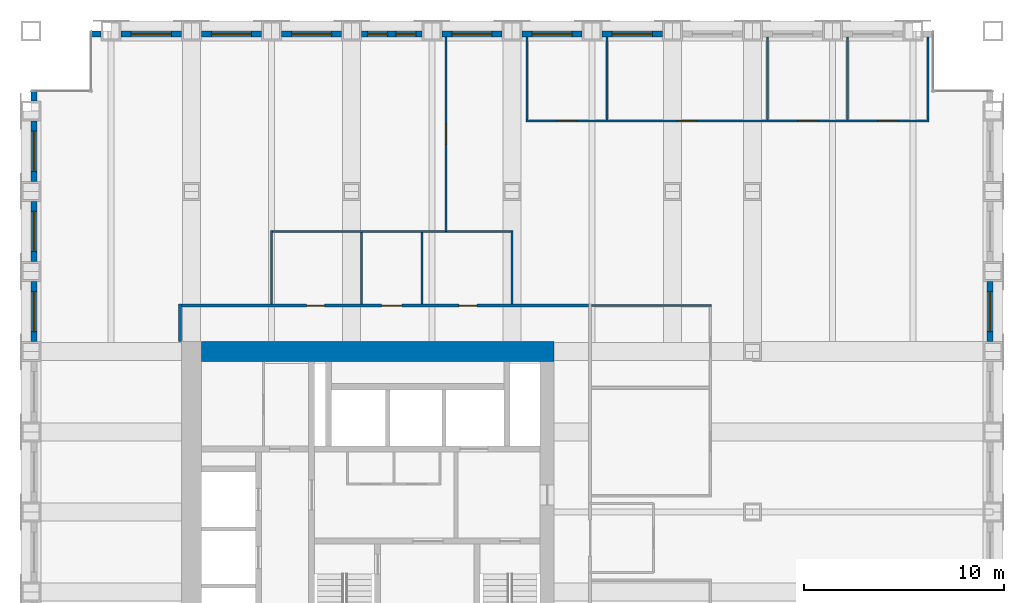
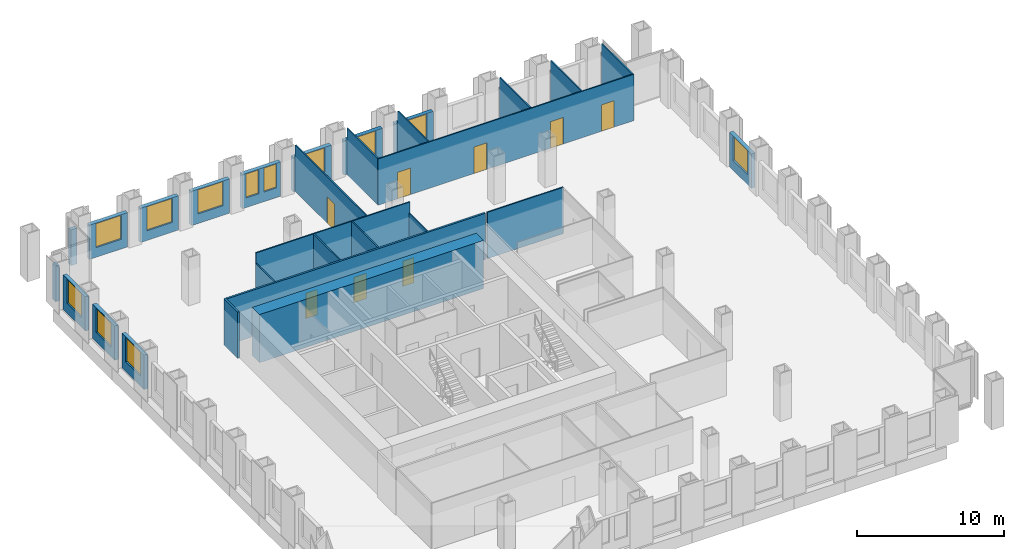
# One storey, part 13 of 15: 29 walls, 12 windows, 8 doors, 20 openings.
"""IFC4 building model written with IfcOpenShell, lengths in metres."""

from ifc_helpers import new_model, si_unit, direction, frame, frame_2d, origin, place, context, subcontext, project, spatial, rectangle, extrude, material, layer, layer_set, type_object, element, fill, save


model = new_model("IFC4")

# Units and contexts
model_context = context("Model", 3, precision=1e-05, world=origin(), true_north=direction((0.0, 1.0)))
body_context = subcontext(model_context, "Body", "Model", "MODEL_VIEW")
ifc_project = project(units=[si_unit("LENGTHUNIT", "METRE"), si_unit("AREAUNIT", "SQUARE_METRE"), si_unit("VOLUMEUNIT", "CUBIC_METRE"), si_unit("PLANEANGLEUNIT", "RADIAN"), si_unit("MASSUNIT", "GRAM", prefix="KILO")], contexts=[model_context])

# Site, building, storey
site_placement = place(None, origin())
site = spatial("IfcSite", under=ifc_project, at=site_placement, CompositionType="ELEMENT")
building_placement = place(site_placement, origin())
building = spatial("IfcBuilding", under=site, at=building_placement, Name="Rimbunsela Tower", CompositionType="ELEMENT")
storey_placement = place(building_placement, frame((0.0, 0.0, 113.39990234375)))
storey = spatial("IfcBuildingStorey", under=building, at=storey_placement, Name="L27", CompositionType="ELEMENT", Elevation=113.39990234375)

# Walls
ifc_material_1 = material(Name="Concrete fc' 80 MPa", Category="concrete")
ifc_layer_1 = layer(ifc_material_1, 1.0)
ifc_layer_set_1 = layer_set([ifc_layer_1], Name="Core wall 1000")
wall_type_1 = type_object("IfcWallType", Name="Core wall 1000", PredefinedType="SHEAR", material=ifc_layer_set_1)
wall_1_placement = place(storey_placement, frame((18.5, 36.0, -0.14990234375), z_axis=(0.0, 0.0, 1.0), x_axis=(1.0, 0.0, 0.0)))
element("IfcWall", 1, at=wall_1_placement, inside=storey, type_object=wall_type_1, Name="Core wall north", PredefinedType="SHEAR", context=body_context, shape_type="SweptSolid", body=[
    extrude(rectangle(XDim=17.60009765625, YDim=1.0, at=frame_2d((8.800048828125, 0.0))), origin(), (0.0, 0.0, 1.0), 4.0),
])
ifc_material_2 = material(Name="Gypsum board on steel studs", Category="steel")
ifc_layer_2 = layer(ifc_material_2, 0.10009765625)
ifc_layer_set_2 = layer_set([ifc_layer_2], Name="Office partition 100")
wall_type_2 = type_object("IfcWallType", Name="Office partition 100", PredefinedType="PARTITIONING", material=ifc_layer_set_2)
wall_2_placement = place(storey_placement, frame((37.97509765625, 38.300048828125, 0.0), z_axis=(0.0, 0.0, 1.0), x_axis=(1.0, 0.0, 0.0)))
element("IfcWall", 2, at=wall_2_placement, inside=storey, type_object=wall_type_2, Name="Office partition", PredefinedType="PARTITIONING", context=body_context, shape_type="SweptSolid", body=[
    extrude(rectangle(XDim=5.974853515625, YDim=0.10009765625, at=frame_2d((2.9873046875, 0.0))), origin(), (0.0, 0.0, 1.0), 3.85009765625),
])

# Wall, openings, doors
wall_3_placement = place(storey_placement, frame((34.699951171875, 47.5, 0.0), z_axis=(0.0, 0.0, 1.0), x_axis=(1.0, 0.0, 0.0)))
wall_3 = element("IfcWall", 3, at=wall_3_placement, inside=storey, type_object=wall_type_2, Name="Office partition", PredefinedType="PARTITIONING", context=body_context, shape_type="SweptSolid", body=[
    extrude(rectangle(XDim=20.10009765625, YDim=0.10009765625, at=frame_2d((10.050048828125, 0.0))), origin(), (0.0, 0.0, 1.0), 3.85009765625),
])
opening_1_placement = place(wall_3_placement, frame((1.550048828125, 0.0, 0.0)))
opening_1 = element("IfcOpeningElement", 4, at=opening_1_placement, cuts=wall_3, Name="Opening D16", PredefinedType="OPENING", context=body_context, shape_type="SweptSolid", body=[
    extrude(rectangle(XDim=1.0, YDim=2.199951171875, at=frame_2d((0.5, 1.10009765625))), frame((0.0, 0.06005859375, 0.0), z_axis=(0.0, -1.0, 0.0), x_axis=(1.0, 0.0, 0.0)), (0.0, 0.0, 1.0), 0.1201171875),
])
opening_2_placement = place(wall_3_placement, frame((7.550048828125, 0.0, 0.0)))
opening_2 = element("IfcOpeningElement", 5, at=opening_2_placement, cuts=wall_3, Name="Opening D16", PredefinedType="OPENING", context=body_context, shape_type="SweptSolid", body=[
    extrude(rectangle(XDim=1.0, YDim=2.199951171875, at=frame_2d((0.5, 1.10009765625))), frame((0.0, 0.06005859375, 0.0), z_axis=(0.0, -1.0, 0.0), x_axis=(1.0, 0.0, 0.0)), (0.0, 0.0, 1.0), 0.1201171875),
])
opening_3_placement = place(wall_3_placement, frame((13.550048828125, 0.0, 0.0)))
opening_3 = element("IfcOpeningElement", 6, at=opening_3_placement, cuts=wall_3, Name="Opening D16", PredefinedType="OPENING", context=body_context, shape_type="SweptSolid", body=[
    extrude(rectangle(XDim=1.0, YDim=2.199951171875, at=frame_2d((0.5, 1.10009765625))), frame((0.0, 0.06005859375, 0.0), z_axis=(0.0, -1.0, 0.0), x_axis=(1.0, 0.0, 0.0)), (0.0, 0.0, 1.0), 0.1201171875),
])
opening_4_placement = place(wall_3_placement, frame((17.550048828125, 0.0, 0.0)))
opening_4 = element("IfcOpeningElement", 7, at=opening_4_placement, cuts=wall_3, Name="Opening D16", PredefinedType="OPENING", context=body_context, shape_type="SweptSolid", body=[
    extrude(rectangle(XDim=1.0, YDim=2.199951171875, at=frame_2d((0.5, 1.10009765625))), frame((0.0, 0.06005859375, 0.0), z_axis=(0.0, -1.0, 0.0), x_axis=(1.0, 0.0, 0.0)), (0.0, 0.0, 1.0), 0.1201171875),
])
ifc_material_3 = material(Name="Timber door", Category="wood")
door_type_1 = type_object("IfcDoorType", Name="Office door 1000", OperationType="SINGLE_SWING_LEFT", PredefinedType="DOOR", material=ifc_material_3)
door_1_placement = place(opening_1_placement, origin())
door_1 = element("IfcDoor", 8, at=door_1_placement, inside=storey, type_object=door_type_1, Name="Office door", OperationType="SINGLE_SWING_LEFT", OverallHeight=2.199951171875, OverallWidth=1.0, PredefinedType="DOOR", context=body_context, shape_type="SweptSolid", body=[
    extrude(rectangle(XDim=1.0, YDim=2.199951171875, at=frame_2d((0.5, 1.10009765625))), frame((0.0, 0.02490234375, 0.0), z_axis=(0.0, -1.0, 0.0), x_axis=(1.0, 0.0, 0.0)), (0.0, 0.0, 1.0), 0.050048828125),
])
fill(opening_1, door_1)
door_2_placement = place(opening_2_placement, origin())
door_2 = element("IfcDoor", 9, at=door_2_placement, inside=storey, type_object=door_type_1, Name="Office door", OperationType="SINGLE_SWING_LEFT", OverallHeight=2.199951171875, OverallWidth=1.0, PredefinedType="DOOR", context=body_context, shape_type="SweptSolid", body=[
    extrude(rectangle(XDim=1.0, YDim=2.199951171875, at=frame_2d((0.5, 1.10009765625))), frame((0.0, 0.02490234375, 0.0), z_axis=(0.0, -1.0, 0.0), x_axis=(1.0, 0.0, 0.0)), (0.0, 0.0, 1.0), 0.050048828125),
])
fill(opening_2, door_2)
door_3_placement = place(opening_3_placement, origin())
door_3 = element("IfcDoor", 10, at=door_3_placement, inside=storey, type_object=door_type_1, Name="Office door", OperationType="SINGLE_SWING_LEFT", OverallHeight=2.199951171875, OverallWidth=1.0, PredefinedType="DOOR", context=body_context, shape_type="SweptSolid", body=[
    extrude(rectangle(XDim=1.0, YDim=2.199951171875, at=frame_2d((0.5, 1.10009765625))), frame((0.0, 0.02490234375, 0.0), z_axis=(0.0, -1.0, 0.0), x_axis=(1.0, 0.0, 0.0)), (0.0, 0.0, 1.0), 0.050048828125),
])
fill(opening_3, door_3)
door_4_placement = place(opening_4_placement, origin())
door_4 = element("IfcDoor", 11, at=door_4_placement, inside=storey, type_object=door_type_1, Name="Office door", OperationType="SINGLE_SWING_LEFT", OverallHeight=2.199951171875, OverallWidth=1.0, PredefinedType="DOOR", context=body_context, shape_type="SweptSolid", body=[
    extrude(rectangle(XDim=1.0, YDim=2.199951171875, at=frame_2d((0.5, 1.10009765625))), frame((0.0, 0.02490234375, 0.0), z_axis=(0.0, -1.0, 0.0), x_axis=(1.0, 0.0, 0.0)), (0.0, 0.0, 1.0), 0.050048828125),
])
fill(opening_4, door_4)

# Walls
for number, where, z_axis, x_axis, name in (
    (12, (34.75, 47.550048828125, 0.0), (0.0, 0.0, 1.0), (0.0, 1.0, 0.0), "Office partition"),
    (13, (38.75, 47.550048828125, 0.0), (0.0, 0.0, 1.0), (0.0, 1.0, 0.0), "Office partition"),
    (14, (46.75, 47.550048828125, 0.0), (0.0, 0.0, 1.0), (0.0, 1.0, 0.0), "Office partition"),
    (15, (50.75, 47.550048828125, 0.0), (0.0, 0.0, 1.0), (0.0, 1.0, 0.0), "Office partition"),
    (16, (54.75, 47.550048828125, 0.0), (0.0, 0.0, 1.0), (0.0, 1.0, 0.0), "Office partition"),
):
    element("IfcWall", number, at=place(storey_placement, frame(where, z_axis=z_axis, x_axis=x_axis)), inside=storey, type_object=wall_type_2, Name=name, PredefinedType="PARTITIONING", context=body_context, shape_type="SweptSolid", body=[
        extrude(rectangle(XDim=4.14990234375, YDim=0.10009765625, at=frame_2d((2.074951171875, 0.0))), origin(), (0.0, 0.0, 1.0), 3.85009765625),
    ])

# Wall, opening, door
wall_4_placement = place(storey_placement, frame((30.699951171875, 42.0, 0.0), z_axis=(0.0, 0.0, 1.0), x_axis=(0.0, 1.0, 0.0)))
wall_4 = element("IfcWall", 17, at=wall_4_placement, inside=storey, type_object=wall_type_2, Name="Office partition", PredefinedType="PARTITIONING", context=body_context, shape_type="SweptSolid", body=[
    extrude(rectangle(XDim=9.699951171875, YDim=0.10009765625, at=frame_2d((4.85009765625, 0.0))), origin(), (0.0, 0.0, 1.0), 3.85009765625),
])
opening_5_placement = place(wall_4_placement, frame((4.35009765625, 0.0, 0.0)))
opening_5 = element("IfcOpeningElement", 18, at=opening_5_placement, cuts=wall_4, Name="Opening D17", PredefinedType="OPENING", context=body_context, shape_type="SweptSolid", body=[
    extrude(rectangle(XDim=1.0, YDim=2.199951171875, at=frame_2d((0.5, 1.10009765625))), frame((0.0, 0.06005859375, 0.0), z_axis=(0.0, -1.0, 0.0), x_axis=(1.0, 0.0, 0.0)), (0.0, 0.0, 1.0), 0.1201171875),
])
ifc_material_4 = material(Name="Glazed aluminium door", Category="aluminium")
door_type_2 = type_object("IfcDoorType", Name="Meeting room door 1000 glazed", OperationType="SINGLE_SWING_RIGHT", PredefinedType="DOOR", material=ifc_material_4)
door_5_placement = place(opening_5_placement, origin())
door_5 = element("IfcDoor", 19, at=door_5_placement, inside=storey, type_object=door_type_2, Name="Open office screen door", OperationType="SINGLE_SWING_RIGHT", OverallHeight=2.199951171875, OverallWidth=1.0, PredefinedType="DOOR", context=body_context, shape_type="SweptSolid", body=[
    extrude(rectangle(XDim=1.0, YDim=2.199951171875, at=frame_2d((0.5, 1.10009765625))), frame((0.0, 0.02490234375, 0.0), z_axis=(0.0, -1.0, 0.0), x_axis=(1.0, 0.0, 0.0)), (0.0, 0.0, 1.0), 0.050048828125),
])
fill(opening_5, door_5)

# Wall, opening, window
ifc_material_5 = material(Name="Precast concrete fc' 35 MPa", Category="concrete")
ifc_layer_3 = layer(ifc_material_5, 0.300048828125)
ifc_layer_set_3 = layer_set([ifc_layer_3], Name="Precast concrete fc' 35 MPa")
wall_type_3 = type_object("IfcWallType", Name="Precast facade panel 300", PredefinedType="ELEMENTEDWALL", material=ifc_layer_set_3)
wall_5_placement = place(storey_placement, frame((57.85009765625, 36.5, 0.0), z_axis=(0.0, 0.0, 1.0), x_axis=(0.0, 1.0, 0.0)))
wall_5 = element("IfcWall", 20, at=wall_5_placement, inside=storey, type_object=wall_type_3, Name="Facade panel E L27", PredefinedType="ELEMENTEDWALL", context=body_context, shape_type="SweptSolid", body=[
    extrude(rectangle(XDim=3.0, YDim=0.300048828125, at=frame_2d((1.5, 0.0))), origin(), (0.0, 0.0, 1.0), 2.85009765625),
])
opening_6_placement = place(wall_5_placement, frame((0.5, 0.0, 0.800048828125)))
opening_6 = element("IfcOpeningElement", 21, at=opening_6_placement, cuts=wall_5, Name="Opening W1", PredefinedType="OPENING", context=body_context, shape_type="SweptSolid", body=[
    extrude(rectangle(XDim=2.0, YDim=2.0, at=frame_2d((1.0, 1.0))), frame((0.0, 0.159912109375, 0.0), z_axis=(0.0, -1.0, 0.0), x_axis=(1.0, 0.0, 0.0)), (0.0, 0.0, 1.0), 0.320068359375),
])
ifc_material_6 = material(Name="Clear glass in aluminium frame", Category="aluminium")
window_type_1 = type_object("IfcWindowType", Name="Window W1 2000x2000", PartitioningType="DOUBLE_PANEL_VERTICAL", PredefinedType="WINDOW", material=ifc_material_6)
window_1_placement = place(opening_6_placement, origin())
window_1 = element("IfcWindow", 22, at=window_1_placement, inside=storey, type_object=window_type_1, Name="Window L27", OverallHeight=2.0, OverallWidth=2.0, PartitioningType="SINGLE_PANEL", PredefinedType="WINDOW", context=body_context, shape_type="SweptSolid", body=[
    extrude(rectangle(XDim=2.0, YDim=2.0, at=frame_2d((1.0, 1.0))), frame((0.0, 0.030029296875, 0.0), z_axis=(0.0, -1.0, 0.0), x_axis=(1.0, 0.0, 0.0)), (0.0, 0.0, 1.0), 0.06005859375),
])
fill(opening_6, window_1)

# Wall
wall_6_placement = place(storey_placement, frame((13.5, 51.85009765625, 0.0), z_axis=(0.0, 0.0, 1.0), x_axis=(-1.0, 0.0, 0.0)))
element("IfcWall", 23, at=wall_6_placement, inside=storey, type_object=wall_type_3, Name="Facade panel N L27", PredefinedType="ELEMENTEDWALL", context=body_context, shape_type="SweptSolid", body=[
    extrude(rectangle(XDim=0.469970703125, YDim=0.300048828125, at=frame_2d((0.23486328125, 0.0))), origin(), (0.0, 0.0, 1.0), 2.9501953125),
])

# Wall, opening, window
wall_7_placement = place(storey_placement, frame((17.5, 51.85009765625, 0.0), z_axis=(0.0, 0.0, 1.0), x_axis=(-1.0, 0.0, 0.0)))
wall_7 = element("IfcWall", 24, at=wall_7_placement, inside=storey, type_object=wall_type_3, Name="Facade panel N L27", PredefinedType="ELEMENTEDWALL", context=body_context, shape_type="SweptSolid", body=[
    extrude(rectangle(XDim=3.0, YDim=0.300048828125, at=frame_2d((1.5, 0.0))), origin(), (0.0, 0.0, 1.0), 2.85009765625),
])
opening_7_placement = place(wall_7_placement, frame((0.5, 0.0, 0.800048828125)))
opening_7 = element("IfcOpeningElement", 25, at=opening_7_placement, cuts=wall_7, Name="Opening W1", PredefinedType="OPENING", context=body_context, shape_type="SweptSolid", body=[
    extrude(rectangle(XDim=2.0, YDim=2.0, at=frame_2d((1.0, 1.0))), frame((0.0, 0.159912109375, 0.0), z_axis=(0.0, -1.0, 0.0), x_axis=(1.0, 0.0, 0.0)), (0.0, 0.0, 1.0), 0.320068359375),
])
window_2_placement = place(opening_7_placement, origin())
window_2 = element("IfcWindow", 26, at=window_2_placement, inside=storey, type_object=window_type_1, Name="Window L27", OverallHeight=2.0, OverallWidth=2.0, PartitioningType="SINGLE_PANEL", PredefinedType="WINDOW", context=body_context, shape_type="SweptSolid", body=[
    extrude(rectangle(XDim=2.0, YDim=2.0, at=frame_2d((1.0, 1.0))), frame((0.0, 0.030029296875, 0.0), z_axis=(0.0, -1.0, 0.0), x_axis=(1.0, 0.0, 0.0)), (0.0, 0.0, 1.0), 0.06005859375),
])
fill(opening_7, window_2)

wall_8_placement = place(storey_placement, frame((21.5, 51.85009765625, 0.0), z_axis=(0.0, 0.0, 1.0), x_axis=(-1.0, 0.0, 0.0)))
wall_8 = element("IfcWall", 27, at=wall_8_placement, inside=storey, type_object=wall_type_3, Name="Facade panel N L27", PredefinedType="ELEMENTEDWALL", context=body_context, shape_type="SweptSolid", body=[
    extrude(rectangle(XDim=3.0, YDim=0.300048828125, at=frame_2d((1.5, 0.0))), origin(), (0.0, 0.0, 1.0), 2.85009765625),
])
opening_8_placement = place(wall_8_placement, frame((0.5, 0.0, 0.800048828125)))
opening_8 = element("IfcOpeningElement", 28, at=opening_8_placement, cuts=wall_8, Name="Opening W1", PredefinedType="OPENING", context=body_context, shape_type="SweptSolid", body=[
    extrude(rectangle(XDim=2.0, YDim=2.0, at=frame_2d((1.0, 1.0))), frame((0.0, 0.159912109375, 0.0), z_axis=(0.0, -1.0, 0.0), x_axis=(1.0, 0.0, 0.0)), (0.0, 0.0, 1.0), 0.320068359375),
])
window_3_placement = place(opening_8_placement, origin())
window_3 = element("IfcWindow", 29, at=window_3_placement, inside=storey, type_object=window_type_1, Name="Window L27", OverallHeight=2.0, OverallWidth=2.0, PartitioningType="SINGLE_PANEL", PredefinedType="WINDOW", context=body_context, shape_type="SweptSolid", body=[
    extrude(rectangle(XDim=2.0, YDim=2.0, at=frame_2d((1.0, 1.0))), frame((0.0, 0.030029296875, 0.0), z_axis=(0.0, -1.0, 0.0), x_axis=(1.0, 0.0, 0.0)), (0.0, 0.0, 1.0), 0.06005859375),
])
fill(opening_8, window_3)

wall_9_placement = place(storey_placement, frame((25.5, 51.85009765625, 0.0), z_axis=(0.0, 0.0, 1.0), x_axis=(-1.0, 0.0, 0.0)))
wall_9 = element("IfcWall", 30, at=wall_9_placement, inside=storey, type_object=wall_type_3, Name="Facade panel N L27", PredefinedType="ELEMENTEDWALL", context=body_context, shape_type="SweptSolid", body=[
    extrude(rectangle(XDim=3.0, YDim=0.300048828125, at=frame_2d((1.5, 0.0))), origin(), (0.0, 0.0, 1.0), 2.85009765625),
])
opening_9_placement = place(wall_9_placement, frame((0.5, 0.0, 0.800048828125)))
opening_9 = element("IfcOpeningElement", 31, at=opening_9_placement, cuts=wall_9, Name="Opening W1", PredefinedType="OPENING", context=body_context, shape_type="SweptSolid", body=[
    extrude(rectangle(XDim=2.0, YDim=2.0, at=frame_2d((1.0, 1.0))), frame((0.0, 0.159912109375, 0.0), z_axis=(0.0, -1.0, 0.0), x_axis=(1.0, 0.0, 0.0)), (0.0, 0.0, 1.0), 0.320068359375),
])
window_4_placement = place(opening_9_placement, origin())
window_4 = element("IfcWindow", 32, at=window_4_placement, inside=storey, type_object=window_type_1, Name="Window L27", OverallHeight=2.0, OverallWidth=2.0, PartitioningType="SINGLE_PANEL", PredefinedType="WINDOW", context=body_context, shape_type="SweptSolid", body=[
    extrude(rectangle(XDim=2.0, YDim=2.0, at=frame_2d((1.0, 1.0))), frame((0.0, 0.030029296875, 0.0), z_axis=(0.0, -1.0, 0.0), x_axis=(1.0, 0.0, 0.0)), (0.0, 0.0, 1.0), 0.06005859375),
])
fill(opening_9, window_4)

# Wall, openings, windows
wall_10_placement = place(storey_placement, frame((29.5, 51.85009765625, 0.0), z_axis=(0.0, 0.0, 1.0), x_axis=(-1.0, 0.0, 0.0)))
wall_10 = element("IfcWall", 33, at=wall_10_placement, inside=storey, type_object=wall_type_3, Name="Facade panel N L27", PredefinedType="ELEMENTEDWALL", context=body_context, shape_type="SweptSolid", body=[
    extrude(rectangle(XDim=3.0, YDim=0.300048828125, at=frame_2d((1.5, 0.0))), origin(), (0.0, 0.0, 1.0), 2.85009765625),
])
opening_10_placement = place(wall_10_placement, frame((1.699951171875, 0.0, 0.800048828125)))
opening_10 = element("IfcOpeningElement", 34, at=opening_10_placement, cuts=wall_10, Name="Opening W5", PredefinedType="OPENING", context=body_context, shape_type="SweptSolid", body=[
    extrude(rectangle(XDim=1.0, YDim=2.0, at=frame_2d((0.5, 1.0))), frame((0.0, 0.159912109375, 0.0), z_axis=(0.0, -1.0, 0.0), x_axis=(1.0, 0.0, 0.0)), (0.0, 0.0, 1.0), 0.320068359375),
])
opening_11_placement = place(wall_10_placement, frame((0.300048828125, 0.0, 0.800048828125)))
opening_11 = element("IfcOpeningElement", 35, at=opening_11_placement, cuts=wall_10, Name="Opening W5", PredefinedType="OPENING", context=body_context, shape_type="SweptSolid", body=[
    extrude(rectangle(XDim=1.0, YDim=2.0, at=frame_2d((0.5, 1.0))), frame((0.0, 0.159912109375, 0.0), z_axis=(0.0, -1.0, 0.0), x_axis=(1.0, 0.0, 0.0)), (0.0, 0.0, 1.0), 0.320068359375),
])
ifc_material_7 = material(Name="Clear glass in aluminium frame", Category="aluminium")
window_type_2 = type_object("IfcWindowType", Name="Window W5 1000x2000", PartitioningType="SINGLE_PANEL", PredefinedType="WINDOW", material=ifc_material_7)
window_5_placement = place(opening_10_placement, origin())
window_5 = element("IfcWindow", 36, at=window_5_placement, inside=storey, type_object=window_type_2, Name="Window L27", OverallHeight=2.0, OverallWidth=1.0, PartitioningType="SINGLE_PANEL", PredefinedType="WINDOW", context=body_context, shape_type="SweptSolid", body=[
    extrude(rectangle(XDim=1.0, YDim=2.0, at=frame_2d((0.5, 1.0))), frame((0.0, 0.030029296875, 0.0), z_axis=(0.0, -1.0, 0.0), x_axis=(1.0, 0.0, 0.0)), (0.0, 0.0, 1.0), 0.06005859375),
])
fill(opening_10, window_5)
window_6_placement = place(opening_11_placement, origin())
window_6 = element("IfcWindow", 37, at=window_6_placement, inside=storey, type_object=window_type_2, Name="Window L27", OverallHeight=2.0, OverallWidth=1.0, PartitioningType="SINGLE_PANEL", PredefinedType="WINDOW", context=body_context, shape_type="SweptSolid", body=[
    extrude(rectangle(XDim=1.0, YDim=2.0, at=frame_2d((0.5, 1.0))), frame((0.0, 0.030029296875, 0.0), z_axis=(0.0, -1.0, 0.0), x_axis=(1.0, 0.0, 0.0)), (0.0, 0.0, 1.0), 0.06005859375),
])
fill(opening_11, window_6)

# Wall, opening, window
wall_11_placement = place(storey_placement, frame((33.5, 51.85009765625, 0.0), z_axis=(0.0, 0.0, 1.0), x_axis=(-1.0, 0.0, 0.0)))
wall_11 = element("IfcWall", 38, at=wall_11_placement, inside=storey, type_object=wall_type_3, Name="Facade panel N L27", PredefinedType="ELEMENTEDWALL", context=body_context, shape_type="SweptSolid", body=[
    extrude(rectangle(XDim=3.0, YDim=0.300048828125, at=frame_2d((1.5, 0.0))), origin(), (0.0, 0.0, 1.0), 2.85009765625),
])
opening_12_placement = place(wall_11_placement, frame((0.5, 0.0, 0.800048828125)))
opening_12 = element("IfcOpeningElement", 39, at=opening_12_placement, cuts=wall_11, Name="Opening W1", PredefinedType="OPENING", context=body_context, shape_type="SweptSolid", body=[
    extrude(rectangle(XDim=2.0, YDim=2.0, at=frame_2d((1.0, 1.0))), frame((0.0, 0.159912109375, 0.0), z_axis=(0.0, -1.0, 0.0), x_axis=(1.0, 0.0, 0.0)), (0.0, 0.0, 1.0), 0.320068359375),
])
window_7_placement = place(opening_12_placement, origin())
window_7 = element("IfcWindow", 40, at=window_7_placement, inside=storey, type_object=window_type_1, Name="Window L27", OverallHeight=2.0, OverallWidth=2.0, PartitioningType="SINGLE_PANEL", PredefinedType="WINDOW", context=body_context, shape_type="SweptSolid", body=[
    extrude(rectangle(XDim=2.0, YDim=2.0, at=frame_2d((1.0, 1.0))), frame((0.0, 0.030029296875, 0.0), z_axis=(0.0, -1.0, 0.0), x_axis=(1.0, 0.0, 0.0)), (0.0, 0.0, 1.0), 0.06005859375),
])
fill(opening_12, window_7)

wall_12_placement = place(storey_placement, frame((37.5, 51.85009765625, 0.0), z_axis=(0.0, 0.0, 1.0), x_axis=(-1.0, 0.0, 0.0)))
wall_12 = element("IfcWall", 41, at=wall_12_placement, inside=storey, type_object=wall_type_3, Name="Facade panel N L27", PredefinedType="ELEMENTEDWALL", context=body_context, shape_type="SweptSolid", body=[
    extrude(rectangle(XDim=3.0, YDim=0.300048828125, at=frame_2d((1.5, 0.0))), origin(), (0.0, 0.0, 1.0), 2.85009765625),
])
opening_13_placement = place(wall_12_placement, frame((0.5, 0.0, 0.800048828125)))
opening_13 = element("IfcOpeningElement", 42, at=opening_13_placement, cuts=wall_12, Name="Opening W1", PredefinedType="OPENING", context=body_context, shape_type="SweptSolid", body=[
    extrude(rectangle(XDim=2.0, YDim=2.0, at=frame_2d((1.0, 1.0))), frame((0.0, 0.159912109375, 0.0), z_axis=(0.0, -1.0, 0.0), x_axis=(1.0, 0.0, 0.0)), (0.0, 0.0, 1.0), 0.320068359375),
])
window_8_placement = place(opening_13_placement, origin())
window_8 = element("IfcWindow", 43, at=window_8_placement, inside=storey, type_object=window_type_1, Name="Window L27", OverallHeight=2.0, OverallWidth=2.0, PartitioningType="SINGLE_PANEL", PredefinedType="WINDOW", context=body_context, shape_type="SweptSolid", body=[
    extrude(rectangle(XDim=2.0, YDim=2.0, at=frame_2d((1.0, 1.0))), frame((0.0, 0.030029296875, 0.0), z_axis=(0.0, -1.0, 0.0), x_axis=(1.0, 0.0, 0.0)), (0.0, 0.0, 1.0), 0.06005859375),
])
fill(opening_13, window_8)

wall_13_placement = place(storey_placement, frame((41.5, 51.85009765625, 0.0), z_axis=(0.0, 0.0, 1.0), x_axis=(-1.0, 0.0, 0.0)))
wall_13 = element("IfcWall", 44, at=wall_13_placement, inside=storey, type_object=wall_type_3, Name="Facade panel N L27", PredefinedType="ELEMENTEDWALL", context=body_context, shape_type="SweptSolid", body=[
    extrude(rectangle(XDim=3.0, YDim=0.300048828125, at=frame_2d((1.5, 0.0))), origin(), (0.0, 0.0, 1.0), 2.85009765625),
])
opening_14_placement = place(wall_13_placement, frame((0.5, 0.0, 0.800048828125)))
opening_14 = element("IfcOpeningElement", 45, at=opening_14_placement, cuts=wall_13, Name="Opening W1", PredefinedType="OPENING", context=body_context, shape_type="SweptSolid", body=[
    extrude(rectangle(XDim=2.0, YDim=2.0, at=frame_2d((1.0, 1.0))), frame((0.0, 0.159912109375, 0.0), z_axis=(0.0, -1.0, 0.0), x_axis=(1.0, 0.0, 0.0)), (0.0, 0.0, 1.0), 0.320068359375),
])
window_9_placement = place(opening_14_placement, origin())
window_9 = element("IfcWindow", 46, at=window_9_placement, inside=storey, type_object=window_type_1, Name="Window L27", OverallHeight=2.0, OverallWidth=2.0, PartitioningType="SINGLE_PANEL", PredefinedType="WINDOW", context=body_context, shape_type="SweptSolid", body=[
    extrude(rectangle(XDim=2.0, YDim=2.0, at=frame_2d((1.0, 1.0))), frame((0.0, 0.030029296875, 0.0), z_axis=(0.0, -1.0, 0.0), x_axis=(1.0, 0.0, 0.0)), (0.0, 0.0, 1.0), 0.06005859375),
])
fill(opening_14, window_9)

wall_14_placement = place(storey_placement, frame((10.14990234375, 39.5, 0.0), z_axis=(0.0, 0.0, 1.0), x_axis=(0.0, -1.0, 0.0)))
wall_14 = element("IfcWall", 47, at=wall_14_placement, inside=storey, type_object=wall_type_3, Name="Facade panel W L27", PredefinedType="ELEMENTEDWALL", context=body_context, shape_type="SweptSolid", body=[
    extrude(rectangle(XDim=3.0, YDim=0.300048828125, at=frame_2d((1.5, 0.0))), origin(), (0.0, 0.0, 1.0), 2.85009765625),
])
opening_15_placement = place(wall_14_placement, frame((0.5, 0.0, 0.800048828125)))
opening_15 = element("IfcOpeningElement", 48, at=opening_15_placement, cuts=wall_14, Name="Opening W1", PredefinedType="OPENING", context=body_context, shape_type="SweptSolid", body=[
    extrude(rectangle(XDim=2.0, YDim=2.0, at=frame_2d((1.0, 1.0))), frame((0.0, 0.159912109375, 0.0), z_axis=(0.0, -1.0, 0.0), x_axis=(1.0, 0.0, 0.0)), (0.0, 0.0, 1.0), 0.320068359375),
])
window_10_placement = place(opening_15_placement, origin())
window_10 = element("IfcWindow", 49, at=window_10_placement, inside=storey, type_object=window_type_1, Name="Window L27", OverallHeight=2.0, OverallWidth=2.0, PartitioningType="SINGLE_PANEL", PredefinedType="WINDOW", context=body_context, shape_type="SweptSolid", body=[
    extrude(rectangle(XDim=2.0, YDim=2.0, at=frame_2d((1.0, 1.0))), frame((0.0, 0.030029296875, 0.0), z_axis=(0.0, -1.0, 0.0), x_axis=(1.0, 0.0, 0.0)), (0.0, 0.0, 1.0), 0.06005859375),
])
fill(opening_15, window_10)

wall_15_placement = place(storey_placement, frame((10.14990234375, 43.5, 0.0), z_axis=(0.0, 0.0, 1.0), x_axis=(0.0, -1.0, 0.0)))
wall_15 = element("IfcWall", 50, at=wall_15_placement, inside=storey, type_object=wall_type_3, Name="Facade panel W L27", PredefinedType="ELEMENTEDWALL", context=body_context, shape_type="SweptSolid", body=[
    extrude(rectangle(XDim=3.0, YDim=0.300048828125, at=frame_2d((1.5, 0.0))), origin(), (0.0, 0.0, 1.0), 2.85009765625),
])
opening_16_placement = place(wall_15_placement, frame((0.5, 0.0, 0.800048828125)))
opening_16 = element("IfcOpeningElement", 51, at=opening_16_placement, cuts=wall_15, Name="Opening W1", PredefinedType="OPENING", context=body_context, shape_type="SweptSolid", body=[
    extrude(rectangle(XDim=2.0, YDim=2.0, at=frame_2d((1.0, 1.0))), frame((0.0, 0.159912109375, 0.0), z_axis=(0.0, -1.0, 0.0), x_axis=(1.0, 0.0, 0.0)), (0.0, 0.0, 1.0), 0.320068359375),
])
window_11_placement = place(opening_16_placement, origin())
window_11 = element("IfcWindow", 52, at=window_11_placement, inside=storey, type_object=window_type_1, Name="Window L27", OverallHeight=2.0, OverallWidth=2.0, PartitioningType="SINGLE_PANEL", PredefinedType="WINDOW", context=body_context, shape_type="SweptSolid", body=[
    extrude(rectangle(XDim=2.0, YDim=2.0, at=frame_2d((1.0, 1.0))), frame((0.0, 0.030029296875, 0.0), z_axis=(0.0, -1.0, 0.0), x_axis=(1.0, 0.0, 0.0)), (0.0, 0.0, 1.0), 0.06005859375),
])
fill(opening_16, window_11)

wall_16_placement = place(storey_placement, frame((10.14990234375, 47.5, 0.0), z_axis=(0.0, 0.0, 1.0), x_axis=(0.0, -1.0, 0.0)))
wall_16 = element("IfcWall", 53, at=wall_16_placement, inside=storey, type_object=wall_type_3, Name="Facade panel W L27", PredefinedType="ELEMENTEDWALL", context=body_context, shape_type="SweptSolid", body=[
    extrude(rectangle(XDim=3.0, YDim=0.300048828125, at=frame_2d((1.5, 0.0))), origin(), (0.0, 0.0, 1.0), 2.85009765625),
])
opening_17_placement = place(wall_16_placement, frame((0.5, 0.0, 0.800048828125)))
opening_17 = element("IfcOpeningElement", 54, at=opening_17_placement, cuts=wall_16, Name="Opening W1", PredefinedType="OPENING", context=body_context, shape_type="SweptSolid", body=[
    extrude(rectangle(XDim=2.0, YDim=2.0, at=frame_2d((1.0, 1.0))), frame((0.0, 0.159912109375, 0.0), z_axis=(0.0, -1.0, 0.0), x_axis=(1.0, 0.0, 0.0)), (0.0, 0.0, 1.0), 0.320068359375),
])
window_12_placement = place(opening_17_placement, origin())
window_12 = element("IfcWindow", 55, at=window_12_placement, inside=storey, type_object=window_type_1, Name="Window L27", OverallHeight=2.0, OverallWidth=2.0, PartitioningType="SINGLE_PANEL", PredefinedType="WINDOW", context=body_context, shape_type="SweptSolid", body=[
    extrude(rectangle(XDim=2.0, YDim=2.0, at=frame_2d((1.0, 1.0))), frame((0.0, 0.030029296875, 0.0), z_axis=(0.0, -1.0, 0.0), x_axis=(1.0, 0.0, 0.0)), (0.0, 0.0, 1.0), 0.06005859375),
])
fill(opening_17, window_12)

# Walls
wall_17_placement = place(storey_placement, frame((10.14990234375, 48.969970703125, 0.0), z_axis=(0.0, 0.0, 1.0), x_axis=(0.0, -1.0, 0.0)))
element("IfcWall", 56, at=wall_17_placement, inside=storey, type_object=wall_type_3, Name="Facade panel W L27", PredefinedType="ELEMENTEDWALL", context=body_context, shape_type="SweptSolid", body=[
    extrude(rectangle(XDim=0.469970703125, YDim=0.300048828125, at=frame_2d((0.23486328125, 0.0))), origin(), (0.0, 0.0, 1.0), 2.9501953125),
])
ifc_material_8 = material(Name="Fire-rated gypsum board on steel studs, EI 60", Category="steel")
ifc_layer_4 = layer(ifc_material_8, 0.14990234375)
ifc_layer_set_4 = layer_set([ifc_layer_4], Name="Rated corridor wall 150")
wall_type_4 = type_object("IfcWallType", Name="Rated corridor wall 150", PredefinedType="PARTITIONING", material=ifc_layer_set_4)
wall_18_placement = place(storey_placement, frame((17.425048828125, 36.5, 0.0), z_axis=(0.0, 0.0, 1.0), x_axis=(0.0, 1.0, 0.0)))
element("IfcWall", 57, at=wall_18_placement, inside=storey, type_object=wall_type_4, Name="Corridor end wall north", PredefinedType="PARTITIONING", context=body_context, shape_type="SweptSolid", body=[
    extrude(rectangle(XDim=1.875, YDim=0.14990234375, at=frame_2d((0.9375, 0.0))), origin(), (0.0, 0.0, 1.0), 3.85009765625),
])

# Wall, openings, doors
wall_19_placement = place(storey_placement, frame((17.5, 38.300048828125, 0.0), z_axis=(0.0, 0.0, 1.0), x_axis=(1.0, 0.0, 0.0)))
wall_19 = element("IfcWall", 58, at=wall_19_placement, inside=storey, type_object=wall_type_4, Name="Corridor wall north", PredefinedType="PARTITIONING", context=body_context, shape_type="SweptSolid", body=[
    extrude(rectangle(XDim=20.324951171875, YDim=0.14990234375, at=frame_2d((10.16259765625, 0.0))), origin(), (0.0, 0.0, 1.0), 3.85009765625),
])
opening_18_placement = place(wall_19_placement, frame((6.25, 0.0, 0.0)))
opening_18 = element("IfcOpeningElement", 59, at=opening_18_placement, cuts=wall_19, Name="Opening D04", PredefinedType="OPENING", context=body_context, shape_type="SweptSolid", body=[
    extrude(rectangle(XDim=0.89990234375, YDim=2.10009765625, at=frame_2d((0.449951171875, 1.050048828125))), frame((0.0, 0.0849609375, 0.0), z_axis=(0.0, -1.0, 0.0), x_axis=(1.0, 0.0, 0.0)), (0.0, 0.0, 1.0), 0.169921875),
])
opening_19_placement = place(wall_19_placement, frame((10.0, 0.0, 0.0)))
opening_19 = element("IfcOpeningElement", 60, at=opening_19_placement, cuts=wall_19, Name="Opening D05", PredefinedType="OPENING", context=body_context, shape_type="SweptSolid", body=[
    extrude(rectangle(XDim=1.0, YDim=2.10009765625, at=frame_2d((0.5, 1.050048828125))), frame((0.0, 0.0849609375, 0.0), z_axis=(0.0, -1.0, 0.0), x_axis=(1.0, 0.0, 0.0)), (0.0, 0.0, 1.0), 0.169921875),
])
opening_20_placement = place(wall_19_placement, frame((13.85009765625, 0.0, 0.0)))
opening_20 = element("IfcOpeningElement", 61, at=opening_20_placement, cuts=wall_19, Name="Opening D04", PredefinedType="OPENING", context=body_context, shape_type="SweptSolid", body=[
    extrude(rectangle(XDim=0.89990234375, YDim=2.10009765625, at=frame_2d((0.449951171875, 1.050048828125))), frame((0.0, 0.0849609375, 0.0), z_axis=(0.0, -1.0, 0.0), x_axis=(1.0, 0.0, 0.0)), (0.0, 0.0, 1.0), 0.169921875),
])
ifc_material_9 = material(Name="Timber door", Category="wood")
door_type_3 = type_object("IfcDoorType", Name="Accessible WC door 1000", OperationType="SLIDING_TO_LEFT", PredefinedType="DOOR", material=ifc_material_9)
door_6_placement = place(opening_19_placement, origin())
door_6 = element("IfcDoor", 62, at=door_6_placement, inside=storey, type_object=door_type_3, Name="Accessible WC door", OperationType="SLIDING_TO_LEFT", OverallHeight=2.10009765625, OverallWidth=1.0, PredefinedType="DOOR", context=body_context, shape_type="SweptSolid", body=[
    extrude(rectangle(XDim=1.0, YDim=2.10009765625, at=frame_2d((0.5, 1.050048828125))), frame((0.0, 0.02490234375, 0.0), z_axis=(0.0, -1.0, 0.0), x_axis=(1.0, 0.0, 0.0)), (0.0, 0.0, 1.0), 0.050048828125),
])
fill(opening_19, door_6)
ifc_material_10 = material(Name="Timber door", Category="wood")
door_type_4 = type_object("IfcDoorType", Name="Toilet door 900", OperationType="SINGLE_SWING_LEFT", PredefinedType="DOOR", material=ifc_material_10)
door_7_placement = place(opening_18_placement, origin())
door_7 = element("IfcDoor", 63, at=door_7_placement, inside=storey, type_object=door_type_4, Name="Female WC door", OperationType="SINGLE_SWING_LEFT", OverallHeight=2.10009765625, OverallWidth=0.89990234375, PredefinedType="DOOR", context=body_context, shape_type="SweptSolid", body=[
    extrude(rectangle(XDim=0.89990234375, YDim=2.10009765625, at=frame_2d((0.449951171875, 1.050048828125))), frame((0.0, 0.02490234375, 0.0), z_axis=(0.0, -1.0, 0.0), x_axis=(1.0, 0.0, 0.0)), (0.0, 0.0, 1.0), 0.050048828125),
])
fill(opening_18, door_7)
door_8_placement = place(opening_20_placement, origin())
door_8 = element("IfcDoor", 64, at=door_8_placement, inside=storey, type_object=door_type_4, Name="Male WC door", OperationType="SINGLE_SWING_LEFT", OverallHeight=2.10009765625, OverallWidth=0.89990234375, PredefinedType="DOOR", context=body_context, shape_type="SweptSolid", body=[
    extrude(rectangle(XDim=0.89990234375, YDim=2.10009765625, at=frame_2d((0.449951171875, 1.050048828125))), frame((0.0, 0.02490234375, 0.0), z_axis=(0.0, -1.0, 0.0), x_axis=(1.0, 0.0, 0.0)), (0.0, 0.0, 1.0), 0.050048828125),
])
fill(opening_20, door_8)

# Walls
ifc_material_11 = material(Name="Concrete blockwork", Category="masonry")
ifc_layer_5 = layer(ifc_material_11, 0.10009765625)
ifc_layer_set_5 = layer_set([ifc_layer_5], Name="Toilet partition 100")
wall_type_5 = type_object("IfcWallType", Name="Toilet partition 100", PredefinedType="PARTITIONING", material=ifc_layer_set_5)
for number, where, z_axis, x_axis, name in (
    (65, (22.0, 38.375, 0.0), (0.0, 0.0, 1.0), (0.0, 1.0, 0.0), "Toilet block wall west"),
    (66, (34.0, 38.375, 0.0), (0.0, 0.0, 1.0), (0.0, 1.0, 0.0), "Toilet block wall east"),
):
    element("IfcWall", number, at=place(storey_placement, frame(where, z_axis=z_axis, x_axis=x_axis)), inside=storey, type_object=wall_type_5, Name=name, PredefinedType="PARTITIONING", context=body_context, shape_type="SweptSolid", body=[
        extrude(rectangle(XDim=3.675048828125, YDim=0.10009765625, at=frame_2d((1.83740234375, 0.0))), origin(), (0.0, 0.0, 1.0), 2.9501953125),
    ])
wall_20_placement = place(storey_placement, frame((21.949951171875, 42.0, 0.0), z_axis=(0.0, 0.0, 1.0), x_axis=(1.0, 0.0, 0.0)))
element("IfcWall", 67, at=wall_20_placement, inside=storey, type_object=wall_type_5, Name="Toilet block wall north", PredefinedType="PARTITIONING", context=body_context, shape_type="SweptSolid", body=[
    extrude(rectangle(XDim=12.10009765625, YDim=0.10009765625, at=frame_2d((6.050048828125, 0.0))), origin(), (0.0, 0.0, 1.0), 3.85009765625),
])
for number, where, z_axis, x_axis, name in (
    (68, (26.5, 38.375, 0.0), (0.0, 0.0, 1.0), (0.0, 1.0, 0.0), "Toilet partition"),
    (69, (29.5, 38.375, 0.0), (0.0, 0.0, 1.0), (0.0, 1.0, 0.0), "Toilet partition"),
):
    element("IfcWall", number, at=place(storey_placement, frame(where, z_axis=z_axis, x_axis=x_axis)), inside=storey, type_object=wall_type_5, Name=name, PredefinedType="PARTITIONING", context=body_context, shape_type="SweptSolid", body=[
        extrude(rectangle(XDim=3.574951171875, YDim=0.10009765625, at=frame_2d((1.78759765625, 0.0))), origin(), (0.0, 0.0, 1.0), 3.85009765625),
    ])

save(model, "model.ifc")
